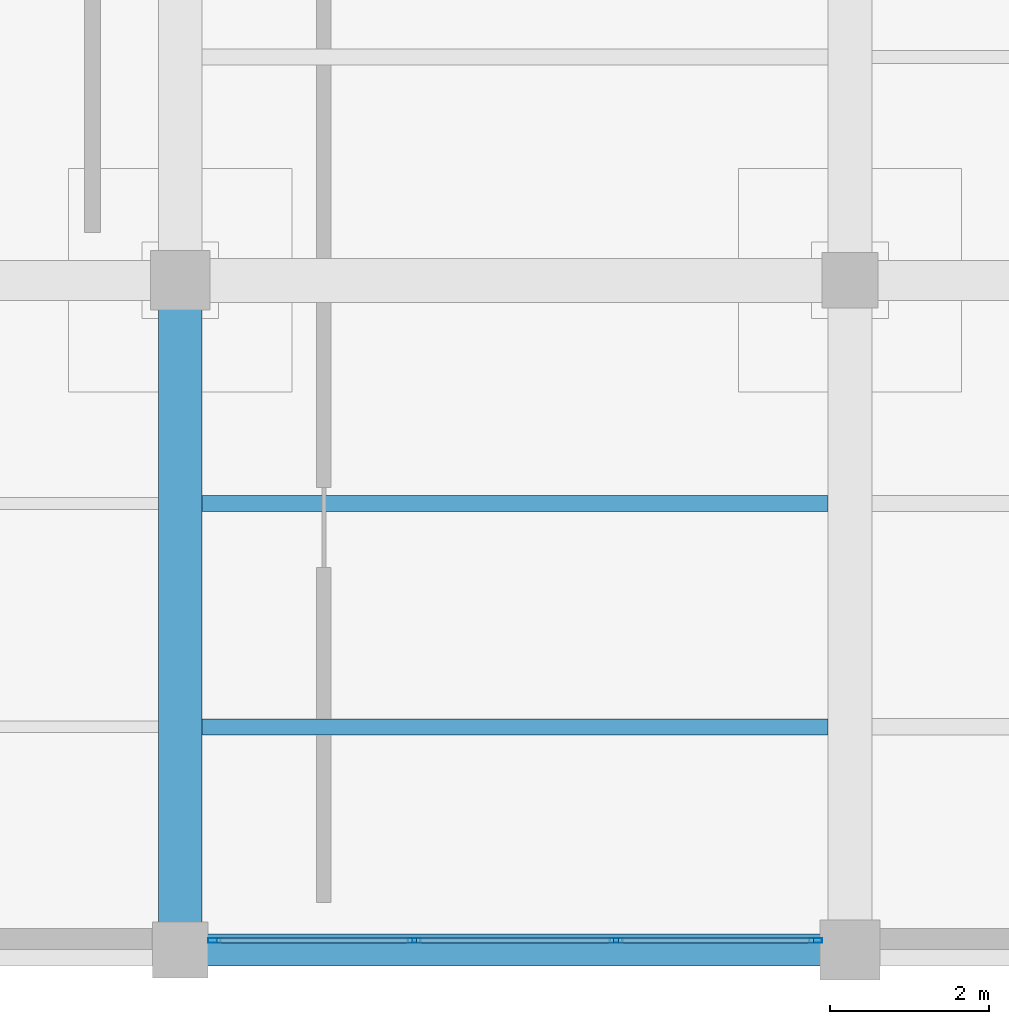
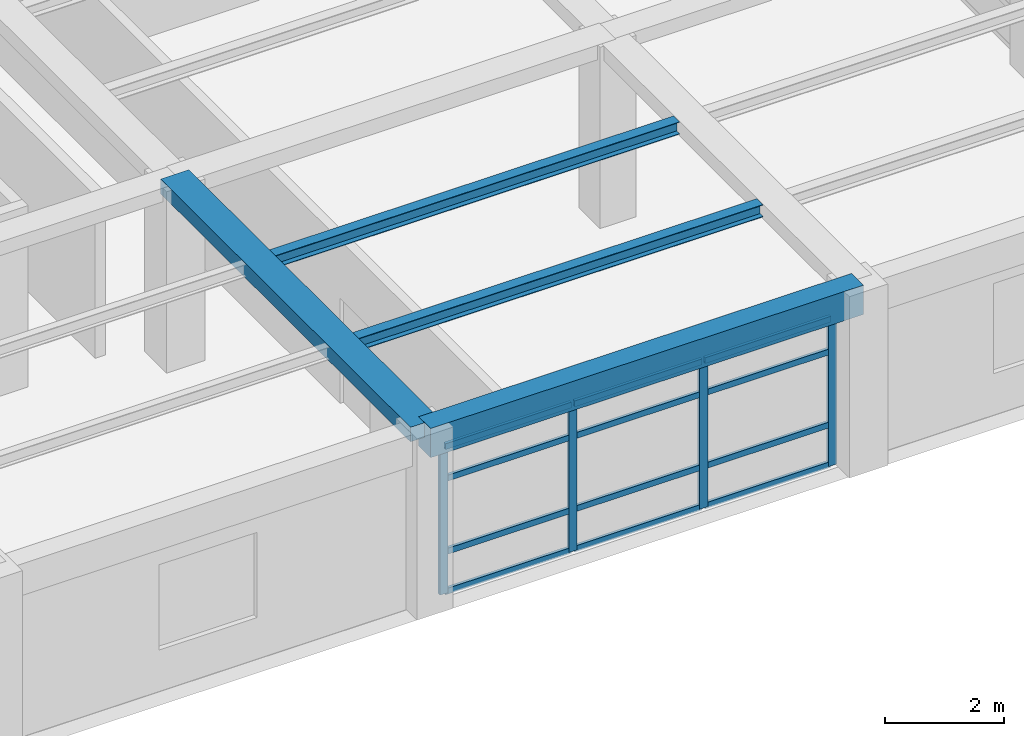
# One storey, part 10 of 26: 16 members, 4 beams, 1 element without a shape of its own.
"""IFC4 building model written with IfcOpenShell, lengths in metres."""

from ifc_helpers import new_model, si_unit, direction, frame, origin, origin_2d, place, context, subcontext, project, spatial, rectangle, hollow_rectangle, i_section, extrude, material, material_profile, profile_set, type_object, element, aggregate, save


model = new_model("IFC4")

# Units and contexts
model_context = context("Model", 3, precision=1e-05, world=origin(), true_north=direction((0.0, 1.0)))
body_context = subcontext(model_context, "Body", "Model", "MODEL_VIEW")
ifc_project = project(units=[si_unit("LENGTHUNIT", "METRE"), si_unit("AREAUNIT", "SQUARE_METRE"), si_unit("VOLUMEUNIT", "CUBIC_METRE"), si_unit("PLANEANGLEUNIT", "RADIAN"), si_unit("MASSUNIT", "GRAM", prefix="KILO")], contexts=[model_context])

# Site, building, storey
site_placement = place(None, origin())
site = spatial("IfcSite", under=ifc_project, at=site_placement, CompositionType="ELEMENT")
building_placement = place(site_placement, origin())
building = spatial("IfcBuilding", under=site, at=building_placement, Name="Almacenes y Pasaje Nevantli", CompositionType="ELEMENT")
storey_placement = place(building_placement, frame((0.0, 0.0, 30.699951171875)))
storey = spatial("IfcBuildingStorey", under=building, at=storey_placement, Name="L07", CompositionType="ELEMENT", Elevation=30.699951171875)

# Beams
ifc_material_1 = material(Name="Concrete C35/45", Category="concrete")
ifc_material_profile_1 = material_profile(ifc_material_1, rectangle(XDim=0.39990234375, YDim=0.60009765625, at=origin_2d()), Name="RC-BM-400x600")
ifc_profile_set_1 = profile_set([ifc_material_profile_1], Name="Concrete C35/45")
beam_type_1 = type_object("IfcBeamType", Name="BM-RC-400x600", PredefinedType="SPANDREL", material=ifc_profile_set_1)
beam_1_placement = place(storey_placement, frame((142.800048828125, 67.199951171875, 3.420166015625), z_axis=(1.0, 0.0, 0.0), x_axis=(0.0, 1.0, 0.0)))
element("IfcBeam", 1, at=beam_1_placement, inside=storey, type_object=beam_type_1, Name="L07 East-West Reinforced Concrete Beam #3633", PredefinedType="SPANDREL", context=body_context, shape_type="SweptSolid", body=[
    extrude(rectangle(XDim=0.39990234375, YDim=0.60009765625, at=origin_2d()), origin(), (0.0, 0.0, 1.0), 8.39990234375),
])
ifc_material_2 = material(Name="Concrete C35/45", Category="concrete")
ifc_material_profile_2 = material_profile(ifc_material_2, rectangle(XDim=0.550048828125, YDim=0.300048828125, at=origin_2d()), Name="RC-BM-550x300")
ifc_profile_set_2 = profile_set([ifc_material_profile_2], Name="Concrete C35/45")
beam_type_2 = type_object("IfcBeamType", Name="BM-RC-550x300", PredefinedType="BEAM", material=ifc_profile_set_2)
beam_2_placement = place(storey_placement, frame((142.800048828125, 67.199951171875, 3.570068359375), z_axis=(0.0, 1.0, 0.0), x_axis=(-1.0, 0.0, 0.0)))
element("IfcBeam", 2, at=beam_2_placement, inside=storey, type_object=beam_type_2, Name="L07 North-South Reinforced Concrete Beam #3673", PredefinedType="BEAM", context=body_context, shape_type="SweptSolid", body=[
    extrude(rectangle(XDim=0.550048828125, YDim=0.300048828125, at=origin_2d()), origin(), (0.0, 0.0, 1.0), 8.400146484375),
])
ifc_material_3 = material(Name="Steel ASTM A992", Category="steel")
ifc_material_profile_3 = material_profile(ifc_material_3, i_section(OverallWidth=0.202880859375, OverallDepth=0.25390625, WebThickness=0.00732421875, FlangeThickness=0.010986328125, at=origin_2d()), Name="IR 254x49.1")
ifc_profile_set_3 = profile_set([ifc_material_profile_3], Name="Steel ASTM A992")
beam_type_3 = type_object("IfcBeamType", Name="BM-STL-IR-254x49p1", PredefinedType="JOIST", material=ifc_profile_set_3)
for number, where, z_axis, x_axis, name in (
    (3, (143.074951171875, 70.0, 3.5849609375), (1.0, 0.0, 0.0), (0.0, 1.0, 0.0), "L07 Secondary Steel Floor Joist #1405"),
    (4, (143.074951171875, 72.800048828125, 3.5849609375), (1.0, 0.0, 0.0), (0.0, 1.0, 0.0), "L07 Secondary Steel Floor Joist #1406"),
):
    element("IfcBeam", number, at=place(storey_placement, frame(where, z_axis=z_axis, x_axis=x_axis)), inside=storey, type_object=beam_type_3, Name=name, PredefinedType="JOIST", context=body_context, shape_type="SweptSolid", body=[
        extrude(i_section(OverallWidth=0.202880859375, OverallDepth=0.25390625, WebThickness=0.00732421875, FlangeThickness=0.010986328125, at=origin_2d()), origin(), (0.0, 0.0, 1.0), 7.85009765625),
    ])

# Curtain wall, members
ifc_material_4 = material(Name="Thermally Broken Aluminium and Low-E Glass", Category="aluminium")
curtain_wall_type = type_object("IfcCurtainWallType", Name="CW-UNIT-TOWER", PredefinedType="USERDEFINED", material=ifc_material_4)
curtain_wall_placement = place(storey_placement, origin())
curtain_wall = element("IfcCurtainWall", 5, at=curtain_wall_placement, inside=storey, type_object=curtain_wall_type, Name="L07 Tower South Unitized Curtain Wall Bay 18", ObjectType="UNITIZED CURTAIN WALL", PredefinedType="USERDEFINED")
ifc_material_5 = material(Name="Thermally Broken Anodized Aluminium", Category="aluminium")
ifc_material_profile_4 = material_profile(ifc_material_5, hollow_rectangle(XDim=0.06005859375, YDim=0.159912109375, WallThickness=0.00390625, at=origin_2d()), Name="ALU-MUL-60x160")
ifc_profile_set_4 = profile_set([ifc_material_profile_4], Name="Thermally Broken Anodized Aluminium")
member_type_1 = type_object("IfcMemberType", Name="CW-MUL-180", PredefinedType="MULLION", material=ifc_profile_set_4)
member_1_placement = place(storey_placement, frame((143.22998046875, 67.320068359375, 0.0), z_axis=(0.0, 0.0, 1.0), x_axis=(0.0, 1.0, 0.0)))
member_1 = element("IfcMember", 6, at=member_1_placement, type_object=member_type_1, Name="CW-L07-115 mullion 1", PredefinedType="MULLION", context=body_context, shape_type="SweptSolid", body=[
    extrude(hollow_rectangle(XDim=0.06005859375, YDim=0.159912109375, WallThickness=0.00390625, at=origin_2d()), origin(), (0.0, 0.0, 1.0), 3.0400390625),
])
member_2_placement = place(storey_placement, frame((145.7333984375, 67.320068359375, 0.0), z_axis=(0.0, 0.0, 1.0), x_axis=(0.0, 1.0, 0.0)))
member_2 = element("IfcMember", 7, at=member_2_placement, type_object=member_type_1, Name="CW-L07-115 mullion 2", PredefinedType="MULLION", context=body_context, shape_type="SweptSolid", body=[
    extrude(hollow_rectangle(XDim=0.06005859375, YDim=0.159912109375, WallThickness=0.00390625, at=origin_2d()), origin(), (0.0, 0.0, 1.0), 3.0400390625),
])
member_3_placement = place(storey_placement, frame((148.2666015625, 67.320068359375, 0.0), z_axis=(0.0, 0.0, 1.0), x_axis=(0.0, 1.0, 0.0)))
member_3 = element("IfcMember", 8, at=member_3_placement, type_object=member_type_1, Name="CW-L07-115 mullion 3", PredefinedType="MULLION", context=body_context, shape_type="SweptSolid", body=[
    extrude(hollow_rectangle(XDim=0.06005859375, YDim=0.159912109375, WallThickness=0.00390625, at=origin_2d()), origin(), (0.0, 0.0, 1.0), 3.0400390625),
])
member_4_placement = place(storey_placement, frame((150.77001953125, 67.320068359375, 0.0), z_axis=(0.0, 0.0, 1.0), x_axis=(0.0, 1.0, 0.0)))
member_4 = element("IfcMember", 9, at=member_4_placement, type_object=member_type_1, Name="CW-L07-115 mullion 4", PredefinedType="MULLION", context=body_context, shape_type="SweptSolid", body=[
    extrude(hollow_rectangle(XDim=0.06005859375, YDim=0.159912109375, WallThickness=0.00390625, at=origin_2d()), origin(), (0.0, 0.0, 1.0), 3.0400390625),
])
ifc_material_6 = material(Name="Thermally Broken Anodized Aluminium", Category="aluminium")
ifc_material_profile_5 = material_profile(ifc_material_6, hollow_rectangle(XDim=0.06005859375, YDim=0.1201171875, WallThickness=0.00341796875, at=origin_2d()), Name="ALU-TRN-60x120")
ifc_profile_set_5 = profile_set([ifc_material_profile_5], Name="Thermally Broken Anodized Aluminium")
member_type_2 = type_object("IfcMemberType", Name="CW-TRN-130", PredefinedType="USERDEFINED", material=ifc_profile_set_5)
member_5_placement = place(storey_placement, frame((143.260009765625, 67.320068359375, 0.030029296875), z_axis=(1.0, 0.0, 0.0), x_axis=(0.0, 1.0, 0.0)))
member_5 = element("IfcMember", 10, at=member_5_placement, type_object=member_type_2, Name="CW-L07-115 transom 1.1", ObjectType="TRANSOM", PredefinedType="USERDEFINED", context=body_context, shape_type="SweptSolid", body=[
    extrude(hollow_rectangle(XDim=0.06005859375, YDim=0.1201171875, WallThickness=0.00341796875, at=origin_2d()), origin(), (0.0, 0.0, 1.0), 2.443359375),
])
member_6_placement = place(storey_placement, frame((143.260009765625, 67.320068359375, 0.85009765625), z_axis=(1.0, 0.0, 0.0), x_axis=(0.0, 1.0, 0.0)))
member_6 = element("IfcMember", 11, at=member_6_placement, type_object=member_type_2, Name="CW-L07-115 transom 1.2", ObjectType="TRANSOM", PredefinedType="USERDEFINED", context=body_context, shape_type="SweptSolid", body=[
    extrude(hollow_rectangle(XDim=0.06005859375, YDim=0.1201171875, WallThickness=0.00341796875, at=origin_2d()), origin(), (0.0, 0.0, 1.0), 2.443359375),
])
member_7_placement = place(storey_placement, frame((143.260009765625, 67.320068359375, 2.35009765625), z_axis=(1.0, 0.0, 0.0), x_axis=(0.0, 1.0, 0.0)))
member_7 = element("IfcMember", 12, at=member_7_placement, type_object=member_type_2, Name="CW-L07-115 transom 1.3", ObjectType="TRANSOM", PredefinedType="USERDEFINED", context=body_context, shape_type="SweptSolid", body=[
    extrude(hollow_rectangle(XDim=0.06005859375, YDim=0.1201171875, WallThickness=0.00341796875, at=origin_2d()), origin(), (0.0, 0.0, 1.0), 2.443359375),
])
member_8_placement = place(storey_placement, frame((143.260009765625, 67.320068359375, 3.010009765625), z_axis=(1.0, 0.0, 0.0), x_axis=(0.0, 1.0, 0.0)))
member_8 = element("IfcMember", 13, at=member_8_placement, type_object=member_type_2, Name="CW-L07-115 transom 1.4", ObjectType="TRANSOM", PredefinedType="USERDEFINED", context=body_context, shape_type="SweptSolid", body=[
    extrude(hollow_rectangle(XDim=0.06005859375, YDim=0.1201171875, WallThickness=0.00341796875, at=origin_2d()), origin(), (0.0, 0.0, 1.0), 2.443359375),
])
member_9_placement = place(storey_placement, frame((145.763427734375, 67.320068359375, 0.030029296875), z_axis=(1.0, 0.0, 0.0), x_axis=(0.0, 1.0, 0.0)))
member_9 = element("IfcMember", 14, at=member_9_placement, type_object=member_type_2, Name="CW-L07-115 transom 2.1", ObjectType="TRANSOM", PredefinedType="USERDEFINED", context=body_context, shape_type="SweptSolid", body=[
    extrude(hollow_rectangle(XDim=0.06005859375, YDim=0.1201171875, WallThickness=0.00341796875, at=origin_2d()), origin(), (0.0, 0.0, 1.0), 2.47314453125),
])
member_10_placement = place(storey_placement, frame((145.763427734375, 67.320068359375, 0.85009765625), z_axis=(1.0, 0.0, 0.0), x_axis=(0.0, 1.0, 0.0)))
member_10 = element("IfcMember", 15, at=member_10_placement, type_object=member_type_2, Name="CW-L07-115 transom 2.2", ObjectType="TRANSOM", PredefinedType="USERDEFINED", context=body_context, shape_type="SweptSolid", body=[
    extrude(hollow_rectangle(XDim=0.06005859375, YDim=0.1201171875, WallThickness=0.00341796875, at=origin_2d()), origin(), (0.0, 0.0, 1.0), 2.47314453125),
])
member_11_placement = place(storey_placement, frame((145.763427734375, 67.320068359375, 2.35009765625), z_axis=(1.0, 0.0, 0.0), x_axis=(0.0, 1.0, 0.0)))
member_11 = element("IfcMember", 16, at=member_11_placement, type_object=member_type_2, Name="CW-L07-115 transom 2.3", ObjectType="TRANSOM", PredefinedType="USERDEFINED", context=body_context, shape_type="SweptSolid", body=[
    extrude(hollow_rectangle(XDim=0.06005859375, YDim=0.1201171875, WallThickness=0.00341796875, at=origin_2d()), origin(), (0.0, 0.0, 1.0), 2.47314453125),
])
member_12_placement = place(storey_placement, frame((145.763427734375, 67.320068359375, 3.010009765625), z_axis=(1.0, 0.0, 0.0), x_axis=(0.0, 1.0, 0.0)))
member_12 = element("IfcMember", 17, at=member_12_placement, type_object=member_type_2, Name="CW-L07-115 transom 2.4", ObjectType="TRANSOM", PredefinedType="USERDEFINED", context=body_context, shape_type="SweptSolid", body=[
    extrude(hollow_rectangle(XDim=0.06005859375, YDim=0.1201171875, WallThickness=0.00341796875, at=origin_2d()), origin(), (0.0, 0.0, 1.0), 2.47314453125),
])
member_13_placement = place(storey_placement, frame((148.296630859375, 67.320068359375, 0.030029296875), z_axis=(1.0, 0.0, 0.0), x_axis=(0.0, 1.0, 0.0)))
member_13 = element("IfcMember", 18, at=member_13_placement, type_object=member_type_2, Name="CW-L07-115 transom 3.1", ObjectType="TRANSOM", PredefinedType="USERDEFINED", context=body_context, shape_type="SweptSolid", body=[
    extrude(hollow_rectangle(XDim=0.06005859375, YDim=0.1201171875, WallThickness=0.00341796875, at=origin_2d()), origin(), (0.0, 0.0, 1.0), 2.443359375),
])
member_14_placement = place(storey_placement, frame((148.296630859375, 67.320068359375, 0.85009765625), z_axis=(1.0, 0.0, 0.0), x_axis=(0.0, 1.0, 0.0)))
member_14 = element("IfcMember", 19, at=member_14_placement, type_object=member_type_2, Name="CW-L07-115 transom 3.2", ObjectType="TRANSOM", PredefinedType="USERDEFINED", context=body_context, shape_type="SweptSolid", body=[
    extrude(hollow_rectangle(XDim=0.06005859375, YDim=0.1201171875, WallThickness=0.00341796875, at=origin_2d()), origin(), (0.0, 0.0, 1.0), 2.443359375),
])
member_15_placement = place(storey_placement, frame((148.296630859375, 67.320068359375, 2.35009765625), z_axis=(1.0, 0.0, 0.0), x_axis=(0.0, 1.0, 0.0)))
member_15 = element("IfcMember", 20, at=member_15_placement, type_object=member_type_2, Name="CW-L07-115 transom 3.3", ObjectType="TRANSOM", PredefinedType="USERDEFINED", context=body_context, shape_type="SweptSolid", body=[
    extrude(hollow_rectangle(XDim=0.06005859375, YDim=0.1201171875, WallThickness=0.00341796875, at=origin_2d()), origin(), (0.0, 0.0, 1.0), 2.443359375),
])
member_16_placement = place(storey_placement, frame((148.296630859375, 67.320068359375, 3.010009765625), z_axis=(1.0, 0.0, 0.0), x_axis=(0.0, 1.0, 0.0)))
member_16 = element("IfcMember", 21, at=member_16_placement, type_object=member_type_2, Name="CW-L07-115 transom 3.4", ObjectType="TRANSOM", PredefinedType="USERDEFINED", context=body_context, shape_type="SweptSolid", body=[
    extrude(hollow_rectangle(XDim=0.06005859375, YDim=0.1201171875, WallThickness=0.00341796875, at=origin_2d()), origin(), (0.0, 0.0, 1.0), 2.443359375),
])
aggregate(curtain_wall, [member_1, member_2, member_3, member_4, member_5, member_6, member_7, member_8, member_9, member_10, member_11, member_12, member_13, member_14, member_15, member_16])

save(model, "model.ifc")
